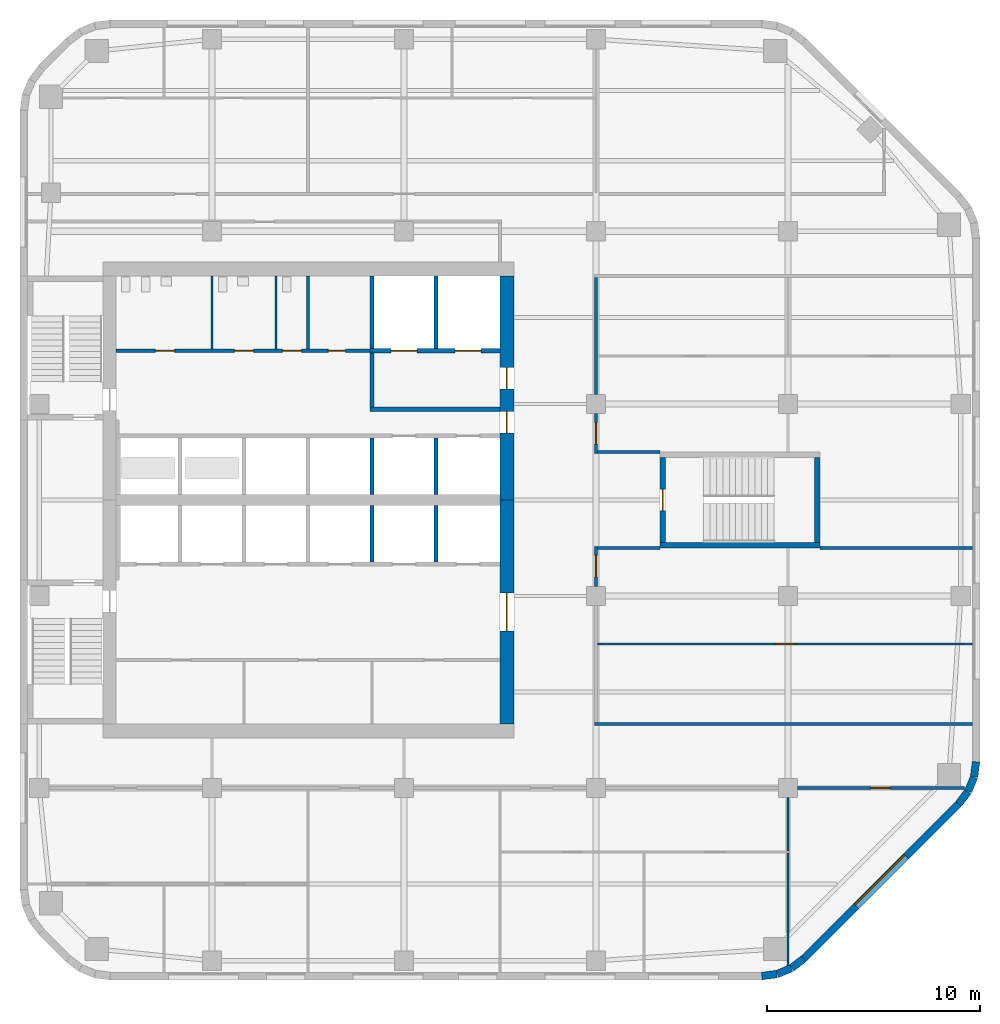
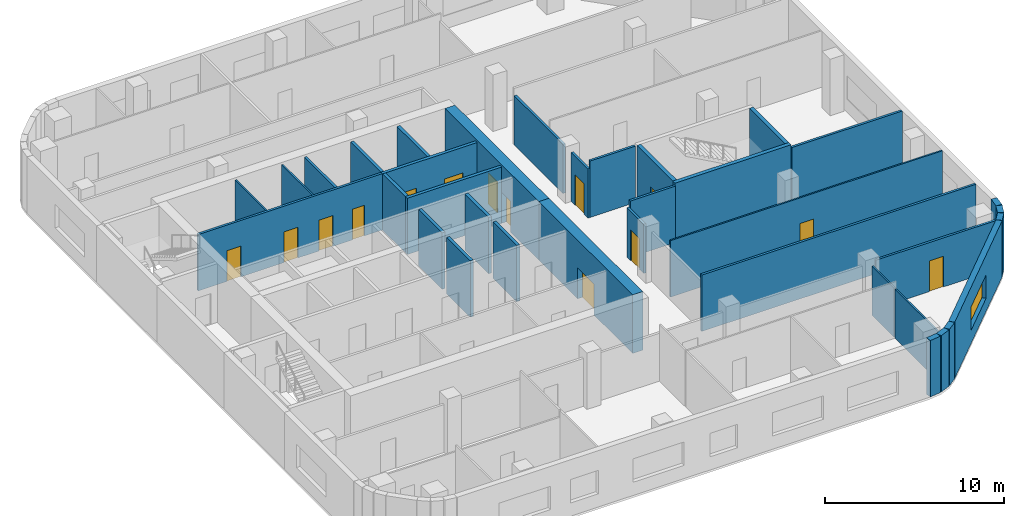
# One storey, part 4 of 9: 36 walls, 14 doors, 1 window, 15 openings.
"""IFC4 building model written with IfcOpenShell, lengths in metres."""

from ifc_helpers import new_model, si_unit, direction, frame, frame_2d, origin, place, context, subcontext, project, spatial, rectangle, extrude, material, layer, layer_set, type_object, element, fill, save


model = new_model("IFC4")

# Units and contexts
model_context = context("Model", 3, precision=1e-05, world=origin(), true_north=direction((0.0, 1.0)))
body_context = subcontext(model_context, "Body", "Model", "MODEL_VIEW")
ifc_project = project(units=[si_unit("LENGTHUNIT", "METRE"), si_unit("AREAUNIT", "SQUARE_METRE"), si_unit("VOLUMEUNIT", "CUBIC_METRE"), si_unit("PLANEANGLEUNIT", "RADIAN"), si_unit("MASSUNIT", "GRAM", prefix="KILO")], contexts=[model_context])

# Site, building, storey
site_placement = place(None, origin())
site = spatial("IfcSite", under=ifc_project, at=site_placement, CompositionType="ELEMENT")
building_placement = place(site_placement, origin())
building = spatial("IfcBuilding", under=site, at=building_placement, Name="Cinnabar Reach Civic Tower", CompositionType="ELEMENT")
storey_placement = place(building_placement, frame((0.0, 0.0, 153.0)))
storey = spatial("IfcBuildingStorey", under=building, at=storey_placement, Name="L36", CompositionType="ELEMENT", Elevation=153.0)

# Walls
ifc_material_1 = material(Name="Facing brick with insulated backing", Category="masonry")
ifc_layer_1 = layer(ifc_material_1, 0.36)
ifc_layer_set_1 = layer_set([ifc_layer_1], Name="Brick corner wall")
wall_type_1 = type_object("IfcWallType", Name="Brick corner wall", PredefinedType="STANDARD", material=ifc_layer_set_1)
for number, where, z_axis, x_axis, name in (
    (1, (34.7686, 9.183, 0.0), (0.0, 0.0, 1.0), (0.99144092581, 0.13055608231, 0.0), "Brick corner wall"),
    (2, (35.4973, 9.2819, 0.0), (0.0, 0.0, 1.0), (0.923871547278, 0.382702709855, 0.0), "Brick corner wall"),
):
    element("IfcWall", number, at=place(storey_placement, frame(where, z_axis=z_axis, x_axis=x_axis)), inside=storey, type_object=wall_type_1, Name=name, PredefinedType="STANDARD", context=body_context, shape_type="SweptSolid", body=[
        extrude(rectangle(XDim=0.7131, YDim=0.36, at=frame_2d((0.3565, 0.0))), origin(), (0.0, 0.0, 1.0), 3.85),
    ])
for number, where, z_axis, x_axis, name in (
    (3, (36.1755, 9.566, 0.0), (0.0, 0.0, 1.0), (0.793321924995, 0.608802368033, 0.0), "Brick corner wall"),
    (4, (43.9998, 17.2587, 0.0), (0.0, 0.0, 1.0), (0.608802368033, 0.793321924995, 0.0), "Brick corner wall"),
):
    element("IfcWall", number, at=place(storey_placement, frame(where, z_axis=z_axis, x_axis=x_axis)), inside=storey, type_object=wall_type_1, Name=name, PredefinedType="STANDARD", context=body_context, shape_type="SweptSolid", body=[
        extrude(rectangle(XDim=0.7132, YDim=0.36, at=frame_2d((0.3566, 0.0))), origin(), (0.0, 0.0, 1.0), 3.85),
    ])
for number, where, z_axis, x_axis, name in (
    (5, (44.4452, 17.8439, 0.0), (0.0, 0.0, 1.0), (0.382702709855, 0.923871547278, 0.0), "Brick corner wall"),
    (6, (44.7239, 18.5244, 0.0), (0.0, 0.0, 1.0), (0.13055608231, 0.99144092581, 0.0), "Brick corner wall"),
):
    element("IfcWall", number, at=place(storey_placement, frame(where, z_axis=z_axis, x_axis=x_axis)), inside=storey, type_object=wall_type_1, Name=name, PredefinedType="STANDARD", context=body_context, shape_type="SweptSolid", body=[
        extrude(rectangle(XDim=0.7131, YDim=0.36, at=frame_2d((0.3565, 0.0))), origin(), (0.0, 0.0, 1.0), 3.85),
    ])

# Wall, opening, window
ifc_layer_2 = layer(ifc_material_1, 0.36)
ifc_layer_set_2 = layer_set([ifc_layer_2], Name="Brick pier and spandrel wall")
wall_type_2 = type_object("IfcWallType", Name="Brick pier and spandrel wall", PredefinedType="STANDARD", material=ifc_layer_set_2)
wall_1_placement = place(storey_placement, frame((36.7514, 10.006, 0.0), z_axis=(0.0, 0.0, 1.0), x_axis=(0.707106781187, 0.707106781187, 0.0)))
wall_1 = element("IfcWall", 7, at=wall_1_placement, inside=storey, type_object=wall_type_2, Name="Brick facade wall", PredefinedType="STANDARD", context=body_context, shape_type="SweptSolid", body=[
    extrude(rectangle(XDim=10.2426, YDim=0.36, at=frame_2d((5.1213, 0.0))), origin(), (0.0, 0.0, 1.0), 3.85),
])
opening_1_placement = place(wall_1_placement, frame((3.4713, 0.0, 0.9)))
opening_1 = element("IfcOpeningElement", 8, at=opening_1_placement, cuts=wall_1, Name="Opening W1747", PredefinedType="OPENING", context=body_context, shape_type="SweptSolid", body=[
    extrude(rectangle(XDim=3.3, YDim=1.6, at=frame_2d((1.65, 0.8))), frame((0.0, 0.19, 0.0), z_axis=(0.0, -1.0, 0.0), x_axis=(1.0, 0.0, 0.0)), (0.0, 0.0, 1.0), 0.38),
])
ifc_material_2 = material(Name="Clear double glazing in aluminium frame", Category="aluminium")
window_type = type_object("IfcWindowType", Name="Deep-set window A", PartitioningType="SINGLE_PANEL", PredefinedType="WINDOW", material=ifc_material_2)
window_placement = place(opening_1_placement, origin())
window = element("IfcWindow", 9, at=window_placement, inside=storey, type_object=window_type, Name="Window southeast face", OverallHeight=1.6, OverallWidth=3.3, PartitioningType="SINGLE_PANEL", PredefinedType="WINDOW", context=body_context, shape_type="SweptSolid", body=[
    extrude(rectangle(XDim=3.3, YDim=1.6, at=frame_2d((1.65, 0.8))), frame((0.0, 0.13, 0.0), z_axis=(0.0, -1.0, 0.0), x_axis=(1.0, 0.0, 0.0)), (0.0, 0.0, 1.0), 0.06),
])
fill(opening_1, window)

# Wall, opening, door
ifc_material_3 = material(Name="Concrete C70", Category="concrete")
ifc_layer_3 = layer(ifc_material_3, 0.65)
ifc_layer_set_3 = layer_set([ifc_layer_3], Name="Core wall 650 EI 180")
wall_type_3 = type_object("IfcWallType", Name="Core wall 650 EI 180", PredefinedType="SOLIDWALL", material=ifc_layer_set_3)
wall_2_placement = place(storey_placement, frame((22.825, 21.0, 0.0), z_axis=(0.0, 0.0, 1.0), x_axis=(0.0, 1.0, 0.0)))
wall_2 = element("IfcWall", 10, at=wall_2_placement, inside=storey, type_object=wall_type_3, Name="Core wall T1 L36 E", PredefinedType="SOLIDWALL", context=body_context, shape_type="SweptSolid", body=[
    extrude(rectangle(XDim=10.5, YDim=0.65, at=frame_2d((5.25, 0.0))), origin(), (0.0, 0.0, 1.0), 4.0),
])
opening_2_placement = place(wall_2_placement, frame((4.35, 0.0, 0.0)))
opening_2 = element("IfcOpeningElement", 11, at=opening_2_placement, cuts=wall_2, Name="Opening D4465", PredefinedType="OPENING", context=body_context, shape_type="SweptSolid", body=[
    extrude(rectangle(XDim=1.8, YDim=2.1, at=frame_2d((0.9, 1.05))), frame((0.0, 0.335, 0.0), z_axis=(0.0, -1.0, 0.0), x_axis=(1.0, 0.0, 0.0)), (0.0, 0.0, 1.0), 0.67),
])
ifc_material_4 = material(Name="Timber door leaf in steel frame", Category="steel")
door_type_1 = type_object("IfcDoorType", Name="Double swing door 1800 x 2100 T1", OperationType="DOUBLE_DOOR_DOUBLE_SWING", PredefinedType="DOOR", material=ifc_material_4)
door_1_placement = place(opening_2_placement, origin())
door_1 = element("IfcDoor", 12, at=door_1_placement, inside=storey, type_object=door_type_1, Name="Door D4465", OperationType="DOUBLE_DOOR_DOUBLE_SWING", OverallHeight=2.1, OverallWidth=1.8, PredefinedType="DOOR", context=body_context, shape_type="SweptSolid", body=[
    extrude(rectangle(XDim=1.8, YDim=2.1, at=frame_2d((0.9, 1.05))), frame((0.0, 0.025, 0.0), z_axis=(0.0, -1.0, 0.0), x_axis=(1.0, 0.0, 0.0)), (0.0, 0.0, 1.0), 0.05),
])
fill(opening_2, door_1)

# Wall, openings, doors
wall_3_placement = place(storey_placement, frame((22.825, 31.5, 0.0), z_axis=(0.0, 0.0, 1.0), x_axis=(0.0, 1.0, 0.0)))
wall_3 = element("IfcWall", 13, at=wall_3_placement, inside=storey, type_object=wall_type_3, Name="Core wall T1 L36 E2", PredefinedType="SOLIDWALL", context=body_context, shape_type="SweptSolid", body=[
    extrude(rectangle(XDim=10.5, YDim=0.65, at=frame_2d((5.25, 0.0))), origin(), (0.0, 0.0, 1.0), 4.0),
])
opening_3_placement = place(wall_3_placement, frame((3.15, 0.0, 0.0)))
opening_3 = element("IfcOpeningElement", 14, at=opening_3_placement, cuts=wall_3, Name="Opening D4466", PredefinedType="OPENING", context=body_context, shape_type="SweptSolid", body=[
    extrude(rectangle(XDim=1.0, YDim=2.1, at=frame_2d((0.5, 1.05))), frame((0.0, 0.335, 0.0), z_axis=(0.0, -1.0, 0.0), x_axis=(1.0, 0.0, 0.0)), (0.0, 0.0, 1.0), 0.67),
])
opening_4_placement = place(wall_3_placement, frame((5.2, 0.0, 0.0)))
opening_4 = element("IfcOpeningElement", 15, at=opening_4_placement, cuts=wall_3, Name="Opening D4467", PredefinedType="OPENING", context=body_context, shape_type="SweptSolid", body=[
    extrude(rectangle(XDim=1.0, YDim=2.1, at=frame_2d((0.5, 1.05))), frame((0.0, 0.335, 0.0), z_axis=(0.0, -1.0, 0.0), x_axis=(1.0, 0.0, 0.0)), (0.0, 0.0, 1.0), 0.67),
])
door_type_2 = type_object("IfcDoorType", Name="Firefighting lobby door 1000 x 2100 T1", OperationType="SINGLE_SWING_LEFT", PredefinedType="DOOR", material=ifc_material_4)
door_2_placement = place(opening_4_placement, origin())
door_2 = element("IfcDoor", 16, at=door_2_placement, inside=storey, type_object=door_type_2, Name="Door D4467", OperationType="SINGLE_SWING_RIGHT", OverallHeight=2.1, OverallWidth=1.0, PredefinedType="DOOR", context=body_context, shape_type="SweptSolid", body=[
    extrude(rectangle(XDim=1.0, YDim=2.1, at=frame_2d((0.5, 1.05))), frame((0.0, 0.025, 0.0), z_axis=(0.0, -1.0, 0.0), x_axis=(1.0, 0.0, 0.0)), (0.0, 0.0, 1.0), 0.05),
])
fill(opening_4, door_2)
door_type_3 = type_object("IfcDoorType", Name="Single swing door 1000 x 2100 T1", OperationType="SINGLE_SWING_LEFT", PredefinedType="DOOR", material=ifc_material_4)
door_3_placement = place(opening_3_placement, origin())
door_3 = element("IfcDoor", 17, at=door_3_placement, inside=storey, type_object=door_type_3, Name="Door D4466", OperationType="SINGLE_SWING_RIGHT", OverallHeight=2.1, OverallWidth=1.0, PredefinedType="DOOR", context=body_context, shape_type="SweptSolid", body=[
    extrude(rectangle(XDim=1.0, YDim=2.1, at=frame_2d((0.5, 1.05))), frame((0.0, 0.025, 0.0), z_axis=(0.0, -1.0, 0.0), x_axis=(1.0, 0.0, 0.0)), (0.0, 0.0, 1.0), 0.05),
])
fill(opening_3, door_3)

# Wall, opening, door
ifc_material_5 = material(Name="Gypsum board on steel studs, double layer", Category="steel")
ifc_layer_4 = layer(ifc_material_5, 0.15)
ifc_layer_set_4 = layer_set([ifc_layer_4], Name="Corridor wall 150 T1")
wall_type_4 = type_object("IfcWallType", Name="Corridor wall 150 T1", PredefinedType="PARTITIONING", material=ifc_layer_set_4)
wall_4_placement = place(storey_placement, frame((36.45, 18.0, 0.0), z_axis=(0.0, 0.0, 1.0), x_axis=(1.0, 0.0, 0.0)))
wall_4 = element("IfcWall", 18, at=wall_4_placement, inside=storey, type_object=wall_type_4, Name="Corridor wall 24", PredefinedType="PARTITIONING", context=body_context, shape_type="SweptSolid", body=[
    extrude(rectangle(XDim=7.834, YDim=0.15, at=frame_2d((3.917, 0.0))), origin(), (0.0, 0.0, 1.0), 3.35),
])
opening_5_placement = place(wall_4_placement, frame((3.45, 0.0, 0.0)))
opening_5 = element("IfcOpeningElement", 19, at=opening_5_placement, cuts=wall_4, Name="Opening D4488", PredefinedType="OPENING", context=body_context, shape_type="SweptSolid", body=[
    extrude(rectangle(XDim=0.9, YDim=2.1, at=frame_2d((0.45, 1.05))), frame((0.0, 0.085, 0.0), z_axis=(0.0, -1.0, 0.0), x_axis=(1.0, 0.0, 0.0)), (0.0, 0.0, 1.0), 0.17),
])
door_type_4 = type_object("IfcDoorType", Name="Single swing door 900 x 2100 corridor T1", OperationType="SINGLE_SWING_LEFT", PredefinedType="DOOR", material=ifc_material_4)
door_4_placement = place(opening_5_placement, frame((0.9, 0.0, 0.0), z_axis=(0.0, 0.0, 1.0), x_axis=(-1.0, 0.0, 0.0)))
door_4 = element("IfcDoor", 20, at=door_4_placement, inside=storey, type_object=door_type_4, Name="Door D4488", OperationType="SINGLE_SWING_RIGHT", OverallHeight=2.1, OverallWidth=0.9, PredefinedType="DOOR", context=body_context, shape_type="SweptSolid", body=[
    extrude(rectangle(XDim=0.9, YDim=2.1, at=frame_2d((0.45, 1.05))), frame((0.0, 0.025, 0.0), z_axis=(0.0, -1.0, 0.0), x_axis=(1.0, 0.0, 0.0)), (0.0, 0.0, 1.0), 0.05),
])
fill(opening_5, door_4)

# Wall
wall_5_placement = place(storey_placement, frame((26.925, 21.0, 0.0), z_axis=(0.0, 0.0, 1.0), x_axis=(1.0, 0.0, 0.0)))
element("IfcWall", 21, at=wall_5_placement, inside=storey, type_object=wall_type_4, Name="Corridor wall 29", PredefinedType="PARTITIONING", context=body_context, shape_type="SweptSolid", body=[
    extrude(rectangle(XDim=17.715, YDim=0.15, at=frame_2d((8.8575, 0.0))), origin(), (0.0, 0.0, 1.0), 3.85),
])

# Wall, openings, doors
wall_6_placement = place(storey_placement, frame((4.5, 38.5, 0.0), z_axis=(0.0, 0.0, 1.0), x_axis=(1.0, 0.0, 0.0)))
wall_6 = element("IfcWall", 22, at=wall_6_placement, inside=storey, type_object=wall_type_4, Name="Corridor wall 31", PredefinedType="PARTITIONING", context=body_context, shape_type="SweptSolid", body=[
    extrude(rectangle(XDim=11.9, YDim=0.15, at=frame_2d((5.95, 0.0))), origin(), (0.0, 0.0, 1.0), 3.85),
])
opening_6_placement = place(wall_6_placement, frame((1.85, 0.0, 0.0)))
opening_6 = element("IfcOpeningElement", 23, at=opening_6_placement, cuts=wall_6, Name="Opening D4472", PredefinedType="OPENING", context=body_context, shape_type="SweptSolid", body=[
    extrude(rectangle(XDim=0.9, YDim=2.1, at=frame_2d((0.45, 1.05))), frame((0.0, 0.085, 0.0), z_axis=(0.0, -1.0, 0.0), x_axis=(1.0, 0.0, 0.0)), (0.0, 0.0, 1.0), 0.17),
])
opening_7_placement = place(wall_6_placement, frame((5.55, 0.0, 0.0)))
opening_7 = element("IfcOpeningElement", 24, at=opening_7_placement, cuts=wall_6, Name="Opening D4473", PredefinedType="OPENING", context=body_context, shape_type="SweptSolid", body=[
    extrude(rectangle(XDim=0.9, YDim=2.1, at=frame_2d((0.45, 1.05))), frame((0.0, 0.085, 0.0), z_axis=(0.0, -1.0, 0.0), x_axis=(1.0, 0.0, 0.0)), (0.0, 0.0, 1.0), 0.17),
])
opening_8_placement = place(wall_6_placement, frame((7.8, 0.0, 0.0)))
opening_8 = element("IfcOpeningElement", 25, at=opening_8_placement, cuts=wall_6, Name="Opening D4474", PredefinedType="OPENING", context=body_context, shape_type="SweptSolid", body=[
    extrude(rectangle(XDim=0.9, YDim=2.1, at=frame_2d((0.45, 1.05))), frame((0.0, 0.085, 0.0), z_axis=(0.0, -1.0, 0.0), x_axis=(1.0, 0.0, 0.0)), (0.0, 0.0, 1.0), 0.17),
])
opening_9_placement = place(wall_6_placement, frame((9.95, 0.0, 0.0)))
opening_9 = element("IfcOpeningElement", 26, at=opening_9_placement, cuts=wall_6, Name="Opening D4475", PredefinedType="OPENING", context=body_context, shape_type="SweptSolid", body=[
    extrude(rectangle(XDim=0.8, YDim=2.1, at=frame_2d((0.4, 1.05))), frame((0.0, 0.085, 0.0), z_axis=(0.0, -1.0, 0.0), x_axis=(1.0, 0.0, 0.0)), (0.0, 0.0, 1.0), 0.17),
])
door_type_5 = type_object("IfcDoorType", Name="Riser access door 800 x 2100 T1", OperationType="SINGLE_SWING_LEFT", PredefinedType="DOOR", material=ifc_material_4)
door_5_placement = place(opening_9_placement, origin())
door_5 = element("IfcDoor", 27, at=door_5_placement, inside=storey, type_object=door_type_5, Name="Door D4475", OperationType="SINGLE_SWING_RIGHT", OverallHeight=2.1, OverallWidth=0.8, PredefinedType="DOOR", context=body_context, shape_type="SweptSolid", body=[
    extrude(rectangle(XDim=0.8, YDim=2.1, at=frame_2d((0.4, 1.05))), frame((0.0, 0.025, 0.0), z_axis=(0.0, -1.0, 0.0), x_axis=(1.0, 0.0, 0.0)), (0.0, 0.0, 1.0), 0.05),
])
fill(opening_9, door_5)
door_6_placement = place(opening_6_placement, origin())
door_6 = element("IfcDoor", 28, at=door_6_placement, inside=storey, type_object=door_type_4, Name="Door D4472", OperationType="SINGLE_SWING_RIGHT", OverallHeight=2.1, OverallWidth=0.9, PredefinedType="DOOR", context=body_context, shape_type="SweptSolid", body=[
    extrude(rectangle(XDim=0.9, YDim=2.1, at=frame_2d((0.45, 1.05))), frame((0.0, 0.025, 0.0), z_axis=(0.0, -1.0, 0.0), x_axis=(1.0, 0.0, 0.0)), (0.0, 0.0, 1.0), 0.05),
])
fill(opening_6, door_6)
door_7_placement = place(opening_7_placement, origin())
door_7 = element("IfcDoor", 29, at=door_7_placement, inside=storey, type_object=door_type_4, Name="Door D4473", OperationType="SINGLE_SWING_RIGHT", OverallHeight=2.1, OverallWidth=0.9, PredefinedType="DOOR", context=body_context, shape_type="SweptSolid", body=[
    extrude(rectangle(XDim=0.9, YDim=2.1, at=frame_2d((0.45, 1.05))), frame((0.0, 0.025, 0.0), z_axis=(0.0, -1.0, 0.0), x_axis=(1.0, 0.0, 0.0)), (0.0, 0.0, 1.0), 0.05),
])
fill(opening_7, door_7)
door_8_placement = place(opening_8_placement, origin())
door_8 = element("IfcDoor", 30, at=door_8_placement, inside=storey, type_object=door_type_4, Name="Door D4474", OperationType="SINGLE_SWING_RIGHT", OverallHeight=2.1, OverallWidth=0.9, PredefinedType="DOOR", context=body_context, shape_type="SweptSolid", body=[
    extrude(rectangle(XDim=0.9, YDim=2.1, at=frame_2d((0.45, 1.05))), frame((0.0, 0.025, 0.0), z_axis=(0.0, -1.0, 0.0), x_axis=(1.0, 0.0, 0.0)), (0.0, 0.0, 1.0), 0.05),
])
fill(opening_8, door_8)

# Wall, opening, door
wall_7_placement = place(storey_placement, frame((27.0, 27.45, 0.0), z_axis=(0.0, 0.0, 1.0), x_axis=(0.0, 1.0, 0.0)))
wall_7 = element("IfcWall", 31, at=wall_7_placement, inside=storey, type_object=wall_type_4, Name="Corridor wall 33", PredefinedType="PARTITIONING", context=body_context, shape_type="SweptSolid", body=[
    extrude(rectangle(XDim=1.875, YDim=0.15, at=frame_2d((0.9375, 0.0))), origin(), (0.0, 0.0, 1.0), 3.362),
])
opening_10_placement = place(wall_7_placement, frame((0.45, 0.0, 0.0)))
opening_10 = element("IfcOpeningElement", 32, at=opening_10_placement, cuts=wall_7, Name="Opening D4479", PredefinedType="OPENING", context=body_context, shape_type="SweptSolid", body=[
    extrude(rectangle(XDim=1.0, YDim=2.1, at=frame_2d((0.5, 1.05))), frame((0.0, 0.085, 0.0), z_axis=(0.0, -1.0, 0.0), x_axis=(1.0, 0.0, 0.0)), (0.0, 0.0, 1.0), 0.17),
])
door_type_6 = type_object("IfcDoorType", Name="Tenancy entrance door 1000 x 2100 T1", OperationType="SINGLE_SWING_LEFT", PredefinedType="DOOR", material=ifc_material_4)
door_9_placement = place(opening_10_placement, frame((1.0, 0.0, 0.0), z_axis=(0.0, 0.0, 1.0), x_axis=(-1.0, 0.0, 0.0)))
door_9 = element("IfcDoor", 33, at=door_9_placement, inside=storey, type_object=door_type_6, Name="Door D4479", OperationType="SINGLE_SWING_LEFT", OverallHeight=2.1, OverallWidth=1.0, PredefinedType="DOOR", context=body_context, shape_type="SweptSolid", body=[
    extrude(rectangle(XDim=1.0, YDim=2.1, at=frame_2d((0.5, 1.05))), frame((0.0, 0.025, 0.0), z_axis=(0.0, -1.0, 0.0), x_axis=(1.0, 0.0, 0.0)), (0.0, 0.0, 1.0), 0.05),
])
fill(opening_10, door_9)

wall_8_placement = place(storey_placement, frame((27.0, 33.675, 0.0), z_axis=(0.0, 0.0, 1.0), x_axis=(0.0, 1.0, 0.0)))
wall_8 = element("IfcWall", 34, at=wall_8_placement, inside=storey, type_object=wall_type_4, Name="Corridor wall 34", PredefinedType="PARTITIONING", context=body_context, shape_type="SweptSolid", body=[
    extrude(rectangle(XDim=1.875, YDim=0.15, at=frame_2d((0.9375, 0.0))), origin(), (0.0, 0.0, 1.0), 3.362),
])
opening_11_placement = place(wall_8_placement, frame((0.45, 0.0, 0.0)))
opening_11 = element("IfcOpeningElement", 35, at=opening_11_placement, cuts=wall_8, Name="Opening D4476", PredefinedType="OPENING", context=body_context, shape_type="SweptSolid", body=[
    extrude(rectangle(XDim=1.0, YDim=2.1, at=frame_2d((0.5, 1.05))), frame((0.0, 0.085, 0.0), z_axis=(0.0, -1.0, 0.0), x_axis=(1.0, 0.0, 0.0)), (0.0, 0.0, 1.0), 0.17),
])
door_10_placement = place(opening_11_placement, frame((1.0, 0.0, 0.0), z_axis=(0.0, 0.0, 1.0), x_axis=(-1.0, 0.0, 0.0)))
door_10 = element("IfcDoor", 36, at=door_10_placement, inside=storey, type_object=door_type_6, Name="Door D4476", OperationType="SINGLE_SWING_RIGHT", OverallHeight=2.1, OverallWidth=1.0, PredefinedType="DOOR", context=body_context, shape_type="SweptSolid", body=[
    extrude(rectangle(XDim=1.0, YDim=2.1, at=frame_2d((0.5, 1.05))), frame((0.0, 0.025, 0.0), z_axis=(0.0, -1.0, 0.0), x_axis=(1.0, 0.0, 0.0)), (0.0, 0.0, 1.0), 0.05),
])
fill(opening_11, door_10)

# Walls
wall_9_placement = place(storey_placement, frame((27.0, 36.45, 0.0), z_axis=(0.0, 0.0, 1.0), x_axis=(0.0, 1.0, 0.0)))
element("IfcWall", 37, at=wall_9_placement, inside=storey, type_object=wall_type_4, Name="Corridor wall 35", PredefinedType="PARTITIONING", context=body_context, shape_type="SweptSolid", body=[
    extrude(rectangle(XDim=5.475, YDim=0.15, at=frame_2d((2.7375, 0.0))), origin(), (0.0, 0.0, 1.0), 3.362),
])
for number, where, z_axis, x_axis, name in (
    (38, (27.075, 29.25, 0.0), (0.0, 0.0, 1.0), (1.0, 0.0, 0.0), "Corridor wall 37"),
    (39, (27.075, 33.75, 0.0), (0.0, 0.0, 1.0), (1.0, 0.0, 0.0), "Corridor wall 38"),
):
    element("IfcWall", number, at=place(storey_placement, frame(where, z_axis=z_axis, x_axis=x_axis)), inside=storey, type_object=wall_type_4, Name=name, PredefinedType="PARTITIONING", context=body_context, shape_type="SweptSolid", body=[
        extrude(rectangle(XDim=2.925, YDim=0.15, at=frame_2d((1.4625, 0.0))), origin(), (0.0, 0.0, 1.0), 3.85),
    ])
ifc_material_6 = material(Name="Blockwork", Category="masonry")
ifc_layer_5 = layer(ifc_material_6, 0.2)
ifc_layer_set_5 = layer_set([ifc_layer_5], Name="Lift shaft wall 200 T1")
wall_type_5 = type_object("IfcWallType", Name="Lift shaft wall 200 T1", PredefinedType="PARTITIONING", material=ifc_layer_set_5)
for number, where, z_axis, x_axis, name in (
    (40, (16.5, 28.6, 0.0), (0.0, 0.0, 1.0), (0.0, 1.0, 0.0), "Lift shaft wall 14"),
    (41, (16.5, 31.75, 0.0), (0.0, 0.0, 1.0), (0.0, 1.0, 0.0), "Lift shaft wall 15"),
    (42, (19.5, 28.6, 0.0), (0.0, 0.0, 1.0), (0.0, 1.0, 0.0), "Lift shaft wall 16"),
    (43, (19.5, 31.75, 0.0), (0.0, 0.0, 1.0), (0.0, 1.0, 0.0), "Lift shaft wall 17"),
):
    element("IfcWall", number, at=place(storey_placement, frame(where, z_axis=z_axis, x_axis=x_axis)), inside=storey, type_object=wall_type_5, Name=name, PredefinedType="PARTITIONING", context=body_context, shape_type="SweptSolid", body=[
        extrude(rectangle(XDim=2.65, YDim=0.2, at=frame_2d((1.325, 0.0))), origin(), (0.0, 0.0, 1.0), 3.85),
    ])
for number, where, z_axis, x_axis, name in (
    (44, (16.5, 38.6, 0.0), (0.0, 0.0, 1.0), (0.0, 1.0, 0.0), "Lift shaft wall 18"),
    (45, (19.5, 38.6, 0.0), (0.0, 0.0, 1.0), (0.0, 1.0, 0.0), "Lift shaft wall 19"),
):
    element("IfcWall", number, at=place(storey_placement, frame(where, z_axis=z_axis, x_axis=x_axis)), inside=storey, type_object=wall_type_5, Name=name, PredefinedType="PARTITIONING", context=body_context, shape_type="SweptSolid", body=[
        extrude(rectangle(XDim=3.4, YDim=0.2, at=frame_2d((1.7, 0.0))), origin(), (0.0, 0.0, 1.0), 3.85),
    ])

# Wall, opening, door
ifc_material_7 = material(Name="Gypsum board on steel studs", Category="steel")
ifc_layer_6 = layer(ifc_material_7, 0.1)
ifc_layer_set_6 = layer_set([ifc_layer_6], Name="Partition wall 100 T1")
wall_type_6 = type_object("IfcWallType", Name="Partition wall 100 T1", PredefinedType="PARTITIONING", material=ifc_layer_set_6)
wall_10_placement = place(storey_placement, frame((27.075, 24.75, 0.0), z_axis=(0.0, 0.0, 1.0), x_axis=(1.0, 0.0, 0.0)))
wall_10 = element("IfcWall", 46, at=wall_10_placement, inside=storey, type_object=wall_type_6, Name="Partition wall 47", PredefinedType="PARTITIONING", context=body_context, shape_type="SweptSolid", body=[
    extrude(rectangle(XDim=17.565, YDim=0.1, at=frame_2d((8.7825, 0.0))), origin(), (0.0, 0.0, 1.0), 3.85),
])
opening_12_placement = place(wall_10_placement, frame((8.35, 0.0, 0.0)))
opening_12 = element("IfcOpeningElement", 47, at=opening_12_placement, cuts=wall_10, Name="Opening D4480", PredefinedType="OPENING", context=body_context, shape_type="SweptSolid", body=[
    extrude(rectangle(XDim=0.9, YDim=2.1, at=frame_2d((0.45, 1.05))), frame((0.0, 0.06, 0.0), z_axis=(0.0, -1.0, 0.0), x_axis=(1.0, 0.0, 0.0)), (0.0, 0.0, 1.0), 0.12),
])
door_type_7 = type_object("IfcDoorType", Name="Single swing door 900 x 2100 T1", OperationType="SINGLE_SWING_LEFT", PredefinedType="DOOR", material=ifc_material_4)
door_11_placement = place(opening_12_placement, frame((0.9, 0.0, 0.0), z_axis=(0.0, 0.0, 1.0), x_axis=(-1.0, 0.0, 0.0)))
door_11 = element("IfcDoor", 48, at=door_11_placement, inside=storey, type_object=door_type_7, Name="Door D4480", OperationType="SINGLE_SWING_LEFT", OverallHeight=2.1, OverallWidth=0.9, PredefinedType="DOOR", context=body_context, shape_type="SweptSolid", body=[
    extrude(rectangle(XDim=0.9, YDim=2.1, at=frame_2d((0.45, 1.05))), frame((0.0, 0.025, 0.0), z_axis=(0.0, -1.0, 0.0), x_axis=(1.0, 0.0, 0.0)), (0.0, 0.0, 1.0), 0.05),
])
fill(opening_12, door_11)

# Walls
wall_11_placement = place(storey_placement, frame((36.0, 15.05, 0.0), z_axis=(0.0, 0.0, 1.0), x_axis=(0.0, 1.0, 0.0)))
element("IfcWall", 49, at=wall_11_placement, inside=storey, type_object=wall_type_6, Name="Partition wall 55", PredefinedType="PARTITIONING", context=body_context, shape_type="SweptSolid", body=[
    extrude(rectangle(XDim=2.5, YDim=0.1, at=frame_2d((1.25, 0.0))), origin(), (0.0, 0.0, 1.0), 3.35),
])
wall_12_placement = place(storey_placement, frame((36.0, 9.685, 0.0), z_axis=(0.0, 0.0, 1.0), x_axis=(0.0, 1.0, 0.0)))
element("IfcWall", 50, at=wall_12_placement, inside=storey, type_object=wall_type_6, Name="Partition wall 56", PredefinedType="PARTITIONING", context=body_context, shape_type="SweptSolid", body=[
    extrude(rectangle(XDim=5.265, YDim=0.1, at=frame_2d((2.6325, 0.0))), origin(), (0.0, 0.0, 1.0), 3.35),
])
for number, where, z_axis, x_axis, name in (
    (51, (9.0, 38.575, 0.0), (0.0, 0.0, 1.0), (0.0, 1.0, 0.0), "Partition wall 62"),
    (52, (12.0, 38.575, 0.0), (0.0, 0.0, 1.0), (0.0, 1.0, 0.0), "Partition wall 63"),
):
    element("IfcWall", number, at=place(storey_placement, frame(where, z_axis=z_axis, x_axis=x_axis)), inside=storey, type_object=wall_type_6, Name=name, PredefinedType="PARTITIONING", context=body_context, shape_type="SweptSolid", body=[
        extrude(rectangle(XDim=3.425, YDim=0.1, at=frame_2d((1.7125, 0.0))), origin(), (0.0, 0.0, 1.0), 3.85),
    ])
ifc_material_8 = material(Name="Concrete C40", Category="concrete")
ifc_layer_7 = layer(ifc_material_8, 0.2)
ifc_layer_set_7 = layer_set([ifc_layer_7], Name="Refuge compartment wall 200 T1")
wall_type_7 = type_object("IfcWallType", Name="Refuge compartment wall 200 T1", PredefinedType="PARTITIONING", material=ifc_layer_set_7)
wall_13_placement = place(storey_placement, frame((16.4, 35.75, 0.0), z_axis=(0.0, 0.0, 1.0), x_axis=(1.0, 0.0, 0.0)))
element("IfcWall", 53, at=wall_13_placement, inside=storey, type_object=wall_type_7, Name="Refuge compartment wall 1", PredefinedType="PARTITIONING", context=body_context, shape_type="SweptSolid", body=[
    extrude(rectangle(XDim=6.1, YDim=0.2, at=frame_2d((3.05, 0.0))), origin(), (0.0, 0.0, 1.0), 3.85),
])

# Wall, openings, doors
wall_14_placement = place(storey_placement, frame((16.4, 38.5, 0.0), z_axis=(0.0, 0.0, 1.0), x_axis=(1.0, 0.0, 0.0)))
wall_14 = element("IfcWall", 54, at=wall_14_placement, inside=storey, type_object=wall_type_7, Name="Refuge compartment wall 2", PredefinedType="PARTITIONING", context=body_context, shape_type="SweptSolid", body=[
    extrude(rectangle(XDim=6.1, YDim=0.2, at=frame_2d((3.05, 0.0))), origin(), (0.0, 0.0, 1.0), 3.85),
])
opening_13_placement = place(wall_14_placement, frame((1.0, 0.0, 0.0)))
opening_13 = element("IfcOpeningElement", 55, at=opening_13_placement, cuts=wall_14, Name="Opening D4463", PredefinedType="OPENING", context=body_context, shape_type="SweptSolid", body=[
    extrude(rectangle(XDim=1.2, YDim=2.1, at=frame_2d((0.6, 1.05))), frame((0.0, 0.11, 0.0), z_axis=(0.0, -1.0, 0.0), x_axis=(1.0, 0.0, 0.0)), (0.0, 0.0, 1.0), 0.22),
])
opening_14_placement = place(wall_14_placement, frame((4.0, 0.0, 0.0)))
opening_14 = element("IfcOpeningElement", 56, at=opening_14_placement, cuts=wall_14, Name="Opening D4464", PredefinedType="OPENING", context=body_context, shape_type="SweptSolid", body=[
    extrude(rectangle(XDim=1.2, YDim=2.1, at=frame_2d((0.6, 1.05))), frame((0.0, 0.11, 0.0), z_axis=(0.0, -1.0, 0.0), x_axis=(1.0, 0.0, 0.0)), (0.0, 0.0, 1.0), 0.22),
])
ifc_material_9 = material(Name="Stainless steel sliding door", Category="steel")
door_type_8 = type_object("IfcDoorType", Name="Firefighting lift landing door 1200 x 2100 T1", OperationType="SLIDING_TO_LEFT", PredefinedType="DOOR", material=ifc_material_9)
door_12_placement = place(opening_13_placement, origin())
door_12 = element("IfcDoor", 57, at=door_12_placement, inside=storey, type_object=door_type_8, Name="Lift landing door FF1 L36", OperationType="SLIDING_TO_LEFT", OverallHeight=2.1, OverallWidth=1.2, PredefinedType="DOOR", context=body_context, shape_type="SweptSolid", body=[
    extrude(rectangle(XDim=1.2, YDim=2.1, at=frame_2d((0.6, 1.05))), frame((0.0, 0.025, 0.0), z_axis=(0.0, -1.0, 0.0), x_axis=(1.0, 0.0, 0.0)), (0.0, 0.0, 1.0), 0.05),
])
fill(opening_13, door_12)
door_13_placement = place(opening_14_placement, origin())
door_13 = element("IfcDoor", 58, at=door_13_placement, inside=storey, type_object=door_type_8, Name="Lift landing door FF2 L36", OperationType="SLIDING_TO_LEFT", OverallHeight=2.1, OverallWidth=1.2, PredefinedType="DOOR", context=body_context, shape_type="SweptSolid", body=[
    extrude(rectangle(XDim=1.2, YDim=2.1, at=frame_2d((0.6, 1.05))), frame((0.0, 0.025, 0.0), z_axis=(0.0, -1.0, 0.0), x_axis=(1.0, 0.0, 0.0)), (0.0, 0.0, 1.0), 0.05),
])
fill(opening_14, door_13)

# Walls
wall_15_placement = place(storey_placement, frame((16.5, 35.85, 0.0), z_axis=(0.0, 0.0, 1.0), x_axis=(0.0, 1.0, 0.0)))
element("IfcWall", 59, at=wall_15_placement, inside=storey, type_object=wall_type_7, Name="Refuge compartment wall 3", PredefinedType="PARTITIONING", context=body_context, shape_type="SweptSolid", body=[
    extrude(rectangle(XDim=2.55, YDim=0.2, at=frame_2d((1.275, 0.0))), origin(), (0.0, 0.0, 1.0), 3.85),
])
ifc_layer_8 = layer(ifc_material_6, 0.15)
ifc_layer_set_8 = layer_set([ifc_layer_8], Name="Riser wall 150 T1")
wall_type_8 = type_object("IfcWallType", Name="Riser wall 150 T1", PredefinedType="PARTITIONING", material=ifc_layer_set_8)
wall_16_placement = place(storey_placement, frame((13.5, 38.575, 0.0), z_axis=(0.0, 0.0, 1.0), x_axis=(0.0, 1.0, 0.0)))
element("IfcWall", 60, at=wall_16_placement, inside=storey, type_object=wall_type_8, Name="Riser wall 42", PredefinedType="PARTITIONING", context=body_context, shape_type="SweptSolid", body=[
    extrude(rectangle(XDim=3.425, YDim=0.15, at=frame_2d((1.7125, 0.0))), origin(), (0.0, 0.0, 1.0), 3.85),
])
ifc_material_10 = material(Name="Concrete C60", Category="concrete")
ifc_layer_9 = layer(ifc_material_10, 0.25)
ifc_layer_set_9 = layer_set([ifc_layer_9], Name="Stair shaft wall 250 EI 120")
wall_type_9 = type_object("IfcWallType", Name="Stair shaft wall 250 EI 120", PredefinedType="SOLIDWALL", material=ifc_layer_set_9)
wall_17_placement = place(storey_placement, frame((30.0, 29.375, 0.0), z_axis=(0.0, 0.0, 1.0), x_axis=(1.0, 0.0, 0.0)))
element("IfcWall", 61, at=wall_17_placement, inside=storey, type_object=wall_type_9, Name="Stair shaft wall T1-S3 L36", PredefinedType="SOLIDWALL", context=body_context, shape_type="SweptSolid", body=[
    extrude(rectangle(XDim=7.5, YDim=0.25, at=frame_2d((3.75, 0.0))), origin(), (0.0, 0.0, 1.0), 4.0),
])
wall_18_placement = place(storey_placement, frame((37.375, 29.5, 0.0), z_axis=(0.0, 0.0, 1.0), x_axis=(0.0, 1.0, 0.0)))
element("IfcWall", 62, at=wall_18_placement, inside=storey, type_object=wall_type_9, Name="Stair shaft wall T1-S3 L36", PredefinedType="SOLIDWALL", context=body_context, shape_type="SweptSolid", body=[
    extrude(rectangle(XDim=4.0, YDim=0.25, at=frame_2d((2.0, 0.0))), origin(), (0.0, 0.0, 1.0), 4.0),
])

# Wall, opening, door
wall_19_placement = place(storey_placement, frame((30.125, 33.5, 0.0), z_axis=(0.0, 0.0, 1.0), x_axis=(0.0, -1.0, 0.0)))
wall_19 = element("IfcWall", 63, at=wall_19_placement, inside=storey, type_object=wall_type_9, Name="Stair shaft wall T1-S3 L36", PredefinedType="SOLIDWALL", context=body_context, shape_type="SweptSolid", body=[
    extrude(rectangle(XDim=4.0, YDim=0.25, at=frame_2d((2.0, 0.0))), origin(), (0.0, 0.0, 1.0), 4.0),
])
opening_15_placement = place(wall_19_placement, frame((1.5, 0.0, 0.0)))
opening_15 = element("IfcOpeningElement", 64, at=opening_15_placement, cuts=wall_19, Name="Opening D4468", PredefinedType="OPENING", context=body_context, shape_type="SweptSolid", body=[
    extrude(rectangle(XDim=1.0, YDim=2.1, at=frame_2d((0.5, 1.05))), frame((0.0, 0.135, 0.0), z_axis=(0.0, -1.0, 0.0), x_axis=(1.0, 0.0, 0.0)), (0.0, 0.0, 1.0), 0.27),
])
door_type_9 = type_object("IfcDoorType", Name="Stair door 1000 x 2100 T1", OperationType="SINGLE_SWING_LEFT", PredefinedType="DOOR", material=ifc_material_4)
door_14_placement = place(opening_15_placement, origin())
door_14 = element("IfcDoor", 65, at=door_14_placement, inside=storey, type_object=door_type_9, Name="Door D4468", OperationType="SINGLE_SWING_RIGHT", OverallHeight=2.1, OverallWidth=1.0, PredefinedType="DOOR", context=body_context, shape_type="SweptSolid", body=[
    extrude(rectangle(XDim=1.0, YDim=2.1, at=frame_2d((0.5, 1.05))), frame((0.0, 0.025, 0.0), z_axis=(0.0, -1.0, 0.0), x_axis=(1.0, 0.0, 0.0)), (0.0, 0.0, 1.0), 0.05),
])
fill(opening_15, door_14)

# Wall
ifc_layer_10 = layer(ifc_material_5, 0.15)
ifc_layer_set_10 = layer_set([ifc_layer_10], Name="Tenancy separating wall 150 T1")
wall_type_10 = type_object("IfcWallType", Name="Tenancy separating wall 150 T1", PredefinedType="PARTITIONING", material=ifc_layer_set_10)
wall_20_placement = place(storey_placement, frame((37.5, 29.25, 0.0), z_axis=(0.0, 0.0, 1.0), x_axis=(1.0, 0.0, 0.0)))
element("IfcWall", 66, at=wall_20_placement, inside=storey, type_object=wall_type_10, Name="Tenancy separating wall 44", PredefinedType="PARTITIONING", context=body_context, shape_type="SweptSolid", body=[
    extrude(rectangle(XDim=7.14, YDim=0.15, at=frame_2d((3.57, 0.0))), origin(), (0.0, 0.0, 1.0), 3.85),
])

save(model, "model.ifc")
